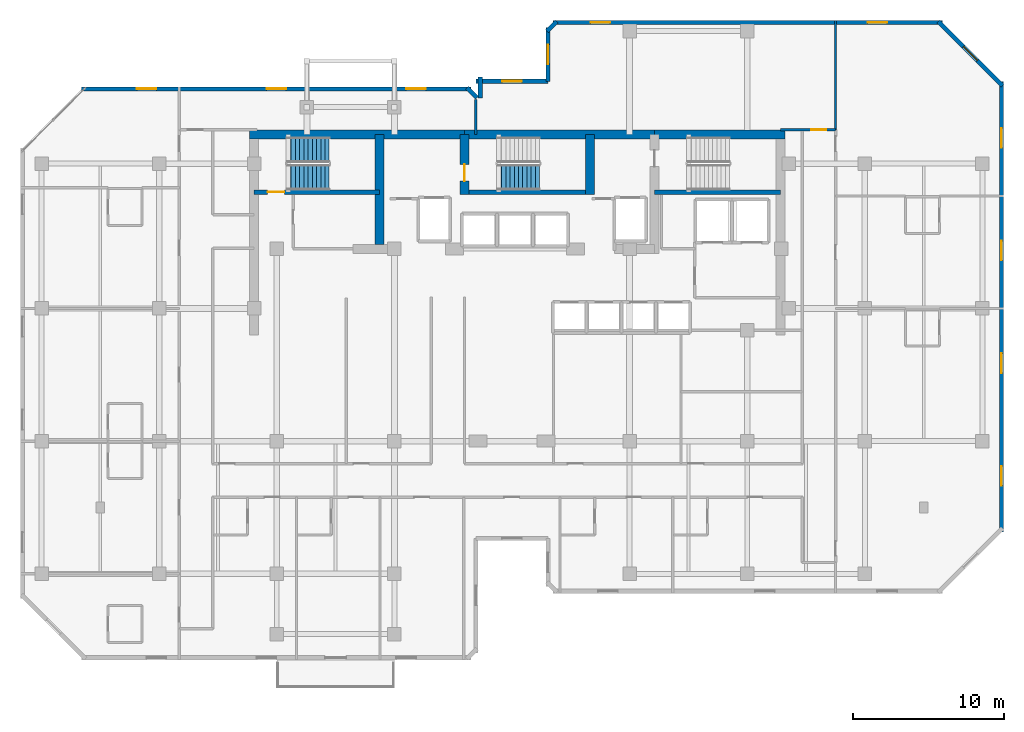
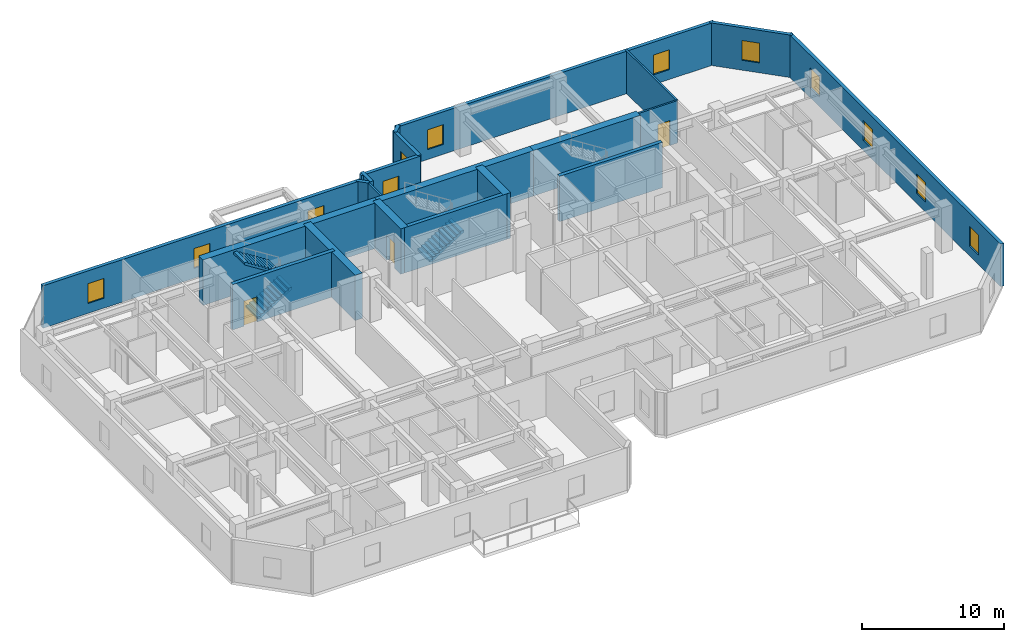
# One storey, part 8 of 11: 21 walls, 12 windows, 3 doors, 3 stair flights, 15 openings, 2 elements without a shape of their own.
"""IFC4 building model written with IfcOpenShell, lengths in metres."""

import ifcopenshell
import ifcopenshell.guid

model = None  # the IFC model being written
_history = None  # IfcOwnerHistory: only IFC2X3 demands one
_inside = {}  # id of a spatial element -> (the spatial element, [elements in it])
_under = {}  # id of a project, library or spatial element -> (it, [spatial elements below it])
_declared = {}  # id of a project -> (the project, [libraries it declares])
_typed = {}  # id of a type object -> (the type object, [elements of that type])
_made_of = {}  # id of a material, layer set ... -> (it, [elements and type objects made of it])


def new_model(schema):
    """Start an empty IFC model of exactly this schema.

    Asked for "IFC4X3", IfcOpenShell would pick the latest addendum, in which some entities
    have other attributes; the version numbers below select the first issue.
    IFC2X3 requires an IfcOwnerHistory on every rooted entity: one is made here for all.
    """
    global model, _history
    if schema == "IFC4X3":
        model = ifcopenshell.file(schema_version=(4, 3, 0, 0))
    else:
        model = ifcopenshell.file(schema=schema)
    _inside.clear()
    _under.clear()
    _declared.clear()
    _typed.clear()
    _made_of.clear()
    _history = None
    if model.schema == "IFC2X3":
        org = make("IfcOrganization", Name="unknown")
        user = make(
            "IfcPersonAndOrganization",
            ThePerson=make("IfcPerson", FamilyName="unknown"),
            TheOrganization=org,
        )
        app = make(
            "IfcApplication",
            ApplicationDeveloper=org,
            Version="unknown",
            ApplicationFullName="unknown",
            ApplicationIdentifier="unknown",
        )
        _history = make(
            "IfcOwnerHistory",
            OwningUser=user,
            OwningApplication=app,
            ChangeAction="ADDED",
            CreationDate=0,
        )
    return model


def make(cls, **values):
    """One entity of the class cls with the attributes given. An attribute that is None is left unset."""
    return model.create_entity(
        cls, **{name: value for name, value in values.items() if value is not None}
    )


def rooted(cls, **values):
    """An entity with a GlobalId (a new one), such as an element, a storey or a relation."""
    return make(cls, GlobalId=ifcopenshell.guid.new(), OwnerHistory=_history, **values)


def si_unit(unit_type, name, prefix=None):
    """IfcSIUnit, for example si_unit("LENGTHUNIT", "METRE", prefix="MILLI")."""
    return make("IfcSIUnit", UnitType=unit_type, Prefix=prefix, Name=name)


def assignment(units):
    """IfcUnitAssignment: the units of a project."""
    return None if units is None else make("IfcUnitAssignment", Units=units)


def point(xyz):
    """IfcCartesianPoint."""
    return None if xyz is None else make("IfcCartesianPoint", Coordinates=xyz)


def direction(xyz):
    """IfcDirection."""
    return None if xyz is None else make("IfcDirection", DirectionRatios=xyz)


def frame(location, z_axis=None, x_axis=None):
    """IfcAxis2Placement3D, a coordinate frame: its origin and axes. An axis left out is left unset."""
    return make(
        "IfcAxis2Placement3D",
        Location=point(location),
        Axis=direction(z_axis),
        RefDirection=direction(x_axis),
    )


def frame_2d(location, x_axis=None):
    """IfcAxis2Placement2D, a coordinate frame in the plane: its origin and x axis."""
    return make(
        "IfcAxis2Placement2D", Location=point(location), RefDirection=direction(x_axis)
    )


def origin():
    """The frame at (0, 0, 0) with its axes left unset."""
    return frame((0.0, 0.0, 0.0))


def place(relative_to, where):
    """IfcLocalPlacement: puts the frame where relative to a parent placement (None: the world)."""
    return make(
        "IfcLocalPlacement", PlacementRelTo=relative_to, RelativePlacement=where
    )


def context(
    kind, dimensions, precision=None, world=None, true_north=None, identifier=None
):
    """IfcGeometricRepresentationContext, for example the 3D "Model" context."""
    return make(
        "IfcGeometricRepresentationContext",
        ContextIdentifier=identifier,
        ContextType=kind,
        CoordinateSpaceDimension=dimensions,
        Precision=precision,
        WorldCoordinateSystem=world,
        TrueNorth=true_north,
    )


def subcontext(parent, identifier, kind, view, scale=None):
    """IfcGeometricRepresentationSubContext, for example "Body" below "Model"."""
    return make(
        "IfcGeometricRepresentationSubContext",
        ContextIdentifier=identifier,
        ContextType=kind,
        ParentContext=parent,
        TargetScale=scale,
        TargetView=view,
    )


def project(units=None, contexts=None):
    """IfcProject with its units and contexts."""
    return rooted(
        "IfcProject",
        Name="project",
        RepresentationContexts=contexts,
        UnitsInContext=assignment(units),
    )


def spatial(cls, under=None, at=None, **own):
    """A site, building, storey or space (cls), placed at a placement, below another one or the project."""
    s = rooted(cls, ObjectPlacement=at, **own)
    if under is not None:
        _under.setdefault(under.id(), (under, []))[1].append(s)
    return s


def polyline(points):
    """IfcPolyline through the points."""
    return make("IfcPolyline", Points=[point(p) for p in points])


def profile(cls, at=None, kind="AREA", **sizes):
    """A parametric profile (cls). Its sizes go by their IFC names, for example OverallWidth=200.0."""
    return make(cls, ProfileType=kind, Position=at, **sizes)


def rectangle(**sizes):
    """IfcRectangleProfileDef."""
    return profile("IfcRectangleProfileDef", **sizes)


def outline(outer, holes=None, kind="AREA"):
    """IfcArbitraryClosedProfileDef: a profile drawn as a closed curve; with holes, ...WithVoids."""
    if holes is None:
        return make("IfcArbitraryClosedProfileDef", ProfileType=kind, OuterCurve=outer)
    return make(
        "IfcArbitraryProfileDefWithVoids",
        ProfileType=kind,
        OuterCurve=outer,
        InnerCurves=holes,
    )


def extrude(swept, where, along, depth):
    """IfcExtrudedAreaSolid: the profile swept, set in the frame where, extruded along a direction by depth."""
    return make(
        "IfcExtrudedAreaSolid",
        SweptArea=swept,
        Position=where,
        ExtrudedDirection=direction(along),
        Depth=depth,
    )


def shape(context_of_items, identifier, shape_type, items):
    """IfcShapeRepresentation: the items that make up one representation, for example the "Body"."""
    return make(
        "IfcShapeRepresentation",
        ContextOfItems=context_of_items,
        RepresentationIdentifier=identifier,
        RepresentationType=shape_type,
        Items=items,
    )


def material(Name=None, Category=None):
    """IfcMaterial."""
    return make("IfcMaterial", Name=Name, Category=Category)


def layer(
    of_material, thickness, ventilated=None, Name=None, Category=None, Priority=None
):
    """IfcMaterialLayer: one layer of a wall or slab, of a material (None: an air gap)."""
    return make(
        "IfcMaterialLayer",
        Material=of_material,
        LayerThickness=thickness,
        IsVentilated=ventilated,
        Name=Name,
        Category=Category,
        Priority=Priority,
    )


def layer_set(layers, Name=None):
    """IfcMaterialLayerSet."""
    return make("IfcMaterialLayerSet", MaterialLayers=layers, LayerSetName=Name)


def made_of(thing, what):
    """Note that an element or type object is made of a material, layer set ...; save() writes the relation."""
    if what is not None:
        _made_of.setdefault(what.id(), (what, []))[1].append(thing)
    return thing


def type_object(cls, material=None, **own):
    """A type object (cls), such as IfcWallType, which elements share."""
    return made_of(rooted(cls, **own), material)


def element(
    cls,
    number,
    at=None,
    inside=None,
    cuts=None,
    type_object=None,
    material=None,
    context=None,
    identifier="Body",
    shape_type=None,
    held_by="IfcProductDefinitionShape",
    body=None,
    shapes=None,
    **own,
):
    """One element of the class cls, such as IfcWall. Its Tag is "e" and its number.

    at: its placement. inside: the storey or other place that contains it. cuts: it is an
    opening in that element (IfcRelVoidsElement). A single representation is given by context,
    identifier, shape_type and body (its items); several are given by shapes. held_by: the class
    of the entity that holds the representations. save() writes the other relations.
    """
    e = rooted(cls, Tag="e%d" % number, ObjectPlacement=at, **own)
    if body is not None:
        shapes = [shape(context, identifier, shape_type, body)]
    if shapes is not None:
        e.Representation = make(held_by, Representations=shapes)
    if inside is not None:
        _inside.setdefault(inside.id(), (inside, []))[1].append(e)
    if cuts is not None:
        rooted(
            "IfcRelVoidsElement", RelatingBuildingElement=cuts, RelatedOpeningElement=e
        )
    if type_object is not None:
        _typed.setdefault(type_object.id(), (type_object, []))[1].append(e)
    return made_of(e, material)


def fill(opening, filler):
    """IfcRelFillsElement: the door or window that sits in an opening."""
    return rooted(
        "IfcRelFillsElement",
        RelatingOpeningElement=opening,
        RelatedBuildingElement=filler,
    )


def aggregate(whole, parts):
    """IfcRelAggregates: a whole, such as a stair, and the parts it consists of."""
    return rooted("IfcRelAggregates", RelatingObject=whole, RelatedObjects=parts)


def save(model, path):
    """Write the relations noted so far, then the file.

    IfcRelAggregates (storeys below a building ...), IfcRelContainedInSpatialStructure (elements
    in a storey), IfcRelDefinesByType, IfcRelAssociatesMaterial and IfcRelDeclares: one each for
    every whole, place, type object, material and project.
    """
    for whole, parts in _under.values():
        aggregate(whole, parts)
    for where, things in _inside.values():
        rooted(
            "IfcRelContainedInSpatialStructure",
            RelatedElements=things,
            RelatingStructure=where,
        )
    for kind, things in _typed.values():
        rooted("IfcRelDefinesByType", RelatedObjects=things, RelatingType=kind)
    for what, things in _made_of.values():
        rooted("IfcRelAssociatesMaterial", RelatedObjects=things, RelatingMaterial=what)
    for by, libraries in _declared.values():
        rooted("IfcRelDeclares", RelatingContext=by, RelatedDefinitions=libraries)
    model.write(path)


model = new_model("IFC4")

# Units and contexts
model_context = context("Model", 3, precision=1e-05, world=origin(), true_north=direction((0.0, 1.0)))
body_context = subcontext(model_context, "Body", "Model", "MODEL_VIEW")
ifc_project = project(units=[si_unit("LENGTHUNIT", "METRE"), si_unit("AREAUNIT", "SQUARE_METRE"), si_unit("VOLUMEUNIT", "CUBIC_METRE"), si_unit("PLANEANGLEUNIT", "RADIAN"), si_unit("MASSUNIT", "GRAM", prefix="KILO")], contexts=[model_context])

# Site, building, storey
site_placement = place(None, origin())
site = spatial("IfcSite", under=ifc_project, at=site_placement, CompositionType="ELEMENT")
building_placement = place(site_placement, origin())
building = spatial("IfcBuilding", under=site, at=building_placement, Name="Kestravale Grand Hotel", CompositionType="ELEMENT")
storey_placement = place(building_placement, frame((0.0, 0.0, 208.5)))
storey = spatial("IfcBuildingStorey", under=building, at=storey_placement, Name="L52", CompositionType="ELEMENT", Elevation=208.5)

# Walls
ifc_material_1 = material(Name="Concrete f'c 50 MPa", Category="concrete")
ifc_layer_1 = layer(ifc_material_1, 0.60009765625)
ifc_layer_set_1 = layer_set([ifc_layer_1], Name="EW-CORE-600")
wall_type_1 = type_object("IfcWallType", Name="EW-CORE-600", PredefinedType="SHEAR", material=ifc_layer_set_1)
wall_1_placement = place(storey_placement, frame((21.60009765625, 40.320068359375, 0.0), z_axis=(0.0, 0.0, 1.0), x_axis=(1.0, 0.0, 0.0)))
element("IfcWall", 1, at=wall_1_placement, inside=storey, type_object=wall_type_1, Name="L52 core shear wall N1", PredefinedType="SHEAR", context=body_context, shape_type="SweptSolid", body=[
    extrude(rectangle(XDim=14.25, YDim=0.60009765625, at=frame_2d((7.125, 0.0))), origin(), (0.0, 0.0, 1.0), 3.89990234375),
])
wall_2_placement = place(storey_placement, frame((35.85009765625, 40.320068359375, 0.0), z_axis=(0.0, 0.0, 1.0), x_axis=(1.0, 0.0, 0.0)))
element("IfcWall", 2, at=wall_2_placement, inside=storey, type_object=wall_type_1, Name="L52 core shear wall N2", PredefinedType="SHEAR", context=body_context, shape_type="SweptSolid", body=[
    extrude(rectangle(XDim=12.599853515625, YDim=0.60009765625, at=frame_2d((6.2998046875, 0.0))), origin(), (0.0, 0.0, 1.0), 3.89990234375),
])
wall_3_placement = place(storey_placement, frame((48.449951171875, 40.320068359375, 0.0), z_axis=(0.0, 0.0, 1.0), x_axis=(1.0, 0.0, 0.0)))
element("IfcWall", 3, at=wall_3_placement, inside=storey, type_object=wall_type_1, Name="L52 core shear wall N3", PredefinedType="SHEAR", context=body_context, shape_type="SweptSolid", body=[
    extrude(rectangle(XDim=8.670166015625, YDim=0.60009765625, at=frame_2d((4.3349609375, 0.0))), origin(), (0.0, 0.0, 1.0), 3.89990234375),
])
wall_4_placement = place(storey_placement, frame((30.219970703125, 33.050048828125, 0.0), z_axis=(0.0, 0.0, 1.0), x_axis=(0.0, 1.0, 0.0)))
element("IfcWall", 4, at=wall_4_placement, inside=storey, type_object=wall_type_1, Name="L52 core shear wall X1", PredefinedType="SHEAR", context=body_context, shape_type="SweptSolid", body=[
    extrude(rectangle(XDim=7.27001953125, YDim=0.60009765625, at=frame_2d((3.635009765625, 0.0))), origin(), (0.0, 0.0, 1.0), 3.89990234375),
])

# Wall, opening, door
wall_5_placement = place(storey_placement, frame((35.85009765625, 36.3701171875, 0.0), z_axis=(0.0, 0.0, 1.0), x_axis=(0.0, 1.0, 0.0)))
wall_5 = element("IfcWall", 5, at=wall_5_placement, inside=storey, type_object=wall_type_1, Name="L52 core shear wall X2", PredefinedType="SHEAR", context=body_context, shape_type="SweptSolid", body=[
    extrude(rectangle(XDim=3.949951171875, YDim=0.60009765625, at=frame_2d((1.97509765625, 0.0))), origin(), (0.0, 0.0, 1.0), 3.89990234375),
])
opening_1_placement = place(wall_5_placement, frame((0.8798828125, 0.0, 0.0)))
opening_1 = element("IfcOpeningElement", 6, at=opening_1_placement, cuts=wall_5, Name="Opening D-ST-1100", PredefinedType="OPENING", context=body_context, shape_type="SweptSolid", body=[
    extrude(rectangle(XDim=1.10009765625, YDim=2.14990234375, at=frame_2d((0.550048828125, 1.074951171875))), frame((0.0, 0.31005859375, 0.0), z_axis=(0.0, -1.0, 0.0), x_axis=(1.0, 0.0, 0.0)), (0.0, 0.0, 1.0), 0.6201171875),
])
ifc_material_2 = material(Name="Galvanised 90-minute fire-rated steel stair door", Category="steel")
door_type_1 = type_object("IfcDoorType", Name="D-ST-1100", OperationType="NOTDEFINED", PredefinedType="DOOR", material=ifc_material_2)
door_1_placement = place(opening_1_placement, origin())
door_1 = element("IfcDoor", 7, at=door_1_placement, inside=storey, type_object=door_type_1, Name="L52 Stair ST-2 FSAE fire door", OperationType="SINGLE_SWING_RIGHT", OverallHeight=2.14990234375, OverallWidth=1.10009765625, PredefinedType="DOOR", context=body_context, shape_type="SweptSolid", body=[
    extrude(rectangle(XDim=1.10009765625, YDim=2.14990234375, at=frame_2d((0.550048828125, 1.074951171875))), frame((0.0, 0.02490234375, 0.0), z_axis=(0.0, -1.0, 0.0), x_axis=(1.0, 0.0, 0.0)), (0.0, 0.0, 1.0), 0.050048828125),
])
fill(opening_1, door_1)

# Wall
wall_6_placement = place(storey_placement, frame((44.179931640625, 36.3701171875, 0.0), z_axis=(0.0, 0.0, 1.0), x_axis=(0.0, 1.0, 0.0)))
element("IfcWall", 8, at=wall_6_placement, inside=storey, type_object=wall_type_1, Name="L52 core shear wall X3", PredefinedType="SHEAR", context=body_context, shape_type="SweptSolid", body=[
    extrude(rectangle(XDim=3.949951171875, YDim=0.60009765625, at=frame_2d((1.97509765625, 0.0))), origin(), (0.0, 0.0, 1.0), 3.89990234375),
])

# Wall, openings, windows
ifc_material_3 = material(Name="Precast concrete f'c 45 MPa", Category="concrete")
ifc_layer_2 = layer(ifc_material_3, 0.280029296875)
ifc_layer_set_2 = layer_set([ifc_layer_2], Name="EW-PREC-280")
wall_type_2 = type_object("IfcWallType", Name="EW-PREC-280", PredefinedType="SOLIDWALL", material=ifc_layer_set_2)
wall_7_placement = place(storey_placement, frame((71.4599609375, 13.9599609375, 0.0), z_axis=(0.0, 0.0, 1.0), x_axis=(0.0, 1.0, 0.0)))
wall_7 = element("IfcWall", 9, at=wall_7_placement, inside=storey, type_object=wall_type_2, Name="L52 fluted precast facade wall 9", PredefinedType="SOLIDWALL", context=body_context, shape_type="SweptSolid", body=[
    extrude(rectangle(XDim=29.880126953125, YDim=0.280029296875, at=frame_2d((14.93994140625, 0.0))), origin(), (0.0, 0.0, 1.0), 3.64990234375),
])
opening_2_placement = place(wall_7_placement, frame((3.0849609375, 0.0, 0.85009765625)))
opening_2 = element("IfcOpeningElement", 10, at=opening_2_placement, cuts=wall_7, Name="Opening W-GUEST-1300", PredefinedType="OPENING", context=body_context, shape_type="SweptSolid", body=[
    extrude(rectangle(XDim=1.300048828125, YDim=1.699951171875, at=frame_2d((0.64990234375, 0.85009765625))), frame((0.0, 0.14990234375, 0.0), z_axis=(0.0, -1.0, 0.0), x_axis=(1.0, 0.0, 0.0)), (0.0, 0.0, 1.0), 0.300048828125),
])
opening_3_placement = place(wall_7_placement, frame((10.554931640625, 0.0, 0.85009765625)))
opening_3 = element("IfcOpeningElement", 11, at=opening_3_placement, cuts=wall_7, Name="Opening W-GUEST-1300", PredefinedType="OPENING", context=body_context, shape_type="SweptSolid", body=[
    extrude(rectangle(XDim=1.300048828125, YDim=1.699951171875, at=frame_2d((0.64990234375, 0.85009765625))), frame((0.0, 0.14990234375, 0.0), z_axis=(0.0, -1.0, 0.0), x_axis=(1.0, 0.0, 0.0)), (0.0, 0.0, 1.0), 0.300048828125),
])
opening_4_placement = place(wall_7_placement, frame((18.02490234375, 0.0, 0.85009765625)))
opening_4 = element("IfcOpeningElement", 12, at=opening_4_placement, cuts=wall_7, Name="Opening W-GUEST-1300", PredefinedType="OPENING", context=body_context, shape_type="SweptSolid", body=[
    extrude(rectangle(XDim=1.300048828125, YDim=1.699951171875, at=frame_2d((0.64990234375, 0.85009765625))), frame((0.0, 0.14990234375, 0.0), z_axis=(0.0, -1.0, 0.0), x_axis=(1.0, 0.0, 0.0)), (0.0, 0.0, 1.0), 0.300048828125),
])
opening_5_placement = place(wall_7_placement, frame((25.4951171875, 0.0, 0.85009765625)))
opening_5 = element("IfcOpeningElement", 13, at=opening_5_placement, cuts=wall_7, Name="Opening W-GUEST-1300", PredefinedType="OPENING", context=body_context, shape_type="SweptSolid", body=[
    extrude(rectangle(XDim=1.300048828125, YDim=1.699951171875, at=frame_2d((0.64990234375, 0.85009765625))), frame((0.0, 0.14990234375, 0.0), z_axis=(0.0, -1.0, 0.0), x_axis=(1.0, 0.0, 0.0)), (0.0, 0.0, 1.0), 0.300048828125),
])
ifc_material_4 = material(Name="Insulated low-E double glazing in aluminium frame", Category="aluminium")
window_type = type_object("IfcWindowType", Name="W-GUEST-1300", PartitioningType="SINGLE_PANEL", PredefinedType="WINDOW", material=ifc_material_4)
window_1_placement = place(opening_2_placement, origin())
window_1 = element("IfcWindow", 14, at=window_1_placement, inside=storey, type_object=window_type, Name="L52 exterior window 9.1", OverallHeight=1.699951171875, OverallWidth=1.300048828125, PartitioningType="SINGLE_PANEL", PredefinedType="WINDOW", context=body_context, shape_type="SweptSolid", body=[
    extrude(rectangle(XDim=1.300048828125, YDim=1.699951171875, at=frame_2d((0.64990234375, 0.85009765625))), frame((0.0, 0.030029296875, 0.0), z_axis=(0.0, -1.0, 0.0), x_axis=(1.0, 0.0, 0.0)), (0.0, 0.0, 1.0), 0.06005859375),
])
fill(opening_2, window_1)
window_2_placement = place(opening_3_placement, origin())
window_2 = element("IfcWindow", 15, at=window_2_placement, inside=storey, type_object=window_type, Name="L52 exterior window 9.2", OverallHeight=1.699951171875, OverallWidth=1.300048828125, PartitioningType="SINGLE_PANEL", PredefinedType="WINDOW", context=body_context, shape_type="SweptSolid", body=[
    extrude(rectangle(XDim=1.300048828125, YDim=1.699951171875, at=frame_2d((0.64990234375, 0.85009765625))), frame((0.0, 0.030029296875, 0.0), z_axis=(0.0, -1.0, 0.0), x_axis=(1.0, 0.0, 0.0)), (0.0, 0.0, 1.0), 0.06005859375),
])
fill(opening_3, window_2)
window_3_placement = place(opening_4_placement, origin())
window_3 = element("IfcWindow", 16, at=window_3_placement, inside=storey, type_object=window_type, Name="L52 exterior window 9.3", OverallHeight=1.699951171875, OverallWidth=1.300048828125, PartitioningType="SINGLE_PANEL", PredefinedType="WINDOW", context=body_context, shape_type="SweptSolid", body=[
    extrude(rectangle(XDim=1.300048828125, YDim=1.699951171875, at=frame_2d((0.64990234375, 0.85009765625))), frame((0.0, 0.030029296875, 0.0), z_axis=(0.0, -1.0, 0.0), x_axis=(1.0, 0.0, 0.0)), (0.0, 0.0, 1.0), 0.06005859375),
])
fill(opening_4, window_3)
window_4_placement = place(opening_5_placement, origin())
window_4 = element("IfcWindow", 17, at=window_4_placement, inside=storey, type_object=window_type, Name="L52 exterior window 9.4", OverallHeight=1.699951171875, OverallWidth=1.300048828125, PartitioningType="SINGLE_PANEL", PredefinedType="WINDOW", context=body_context, shape_type="SweptSolid", body=[
    extrude(rectangle(XDim=1.300048828125, YDim=1.699951171875, at=frame_2d((0.64990234375, 0.85009765625))), frame((0.0, 0.030029296875, 0.0), z_axis=(0.0, -1.0, 0.0), x_axis=(1.0, 0.0, 0.0)), (0.0, 0.0, 1.0), 0.06005859375),
])
fill(opening_5, window_4)

# Wall, opening, window
wall_8_placement = place(storey_placement, frame((71.529296875, 43.57275390625, 0.0), z_axis=(0.0, 0.0, 1.0), x_axis=(-0.707106781187, 0.707106781187, 0.0)))
wall_8 = element("IfcWall", 18, at=wall_8_placement, inside=storey, type_object=wall_type_2, Name="L52 fluted precast facade wall 10", PredefinedType="SOLIDWALL", context=body_context, shape_type="SweptSolid", body=[
    extrude(rectangle(XDim=6.019775390625, YDim=0.280029296875, at=frame_2d((3.009765625, 0.0))), origin(), (0.0, 0.0, 1.0), 3.64990234375),
])
opening_6_placement = place(wall_8_placement, frame((2.35986328125, 0.0, 0.85009765625)))
opening_6 = element("IfcOpeningElement", 19, at=opening_6_placement, cuts=wall_8, Name="Opening W-GUEST-1300", PredefinedType="OPENING", context=body_context, shape_type="SweptSolid", body=[
    extrude(rectangle(XDim=1.300048828125, YDim=1.699951171875, at=frame_2d((0.64990234375, 0.85009765625))), frame((0.0, 0.14990234375, 0.0), z_axis=(0.0, -1.0, 0.0), x_axis=(1.0, 0.0, 0.0)), (0.0, 0.0, 1.0), 0.300048828125),
])
window_5_placement = place(opening_6_placement, origin())
window_5 = element("IfcWindow", 20, at=window_5_placement, inside=storey, type_object=window_type, Name="L52 exterior window 10.1", OverallHeight=1.699951171875, OverallWidth=1.300048828125, PartitioningType="SINGLE_PANEL", PredefinedType="WINDOW", context=body_context, shape_type="SweptSolid", body=[
    extrude(rectangle(XDim=1.300048828125, YDim=1.699951171875, at=frame_2d((0.64990234375, 0.85009765625))), frame((0.0, 0.030029296875, 0.0), z_axis=(0.0, -1.0, 0.0), x_axis=(1.0, 0.0, 0.0)), (0.0, 0.0, 1.0), 0.06005859375),
])
fill(opening_6, window_5)

# Wall, openings, windows
wall_9_placement = place(storey_placement, frame((67.5400390625, 47.760009765625, 0.0), z_axis=(0.0, 0.0, 1.0), x_axis=(-1.0, 0.0, 0.0)))
wall_9 = element("IfcWall", 21, at=wall_9_placement, inside=storey, type_object=wall_type_2, Name="L52 fluted precast facade wall 11", PredefinedType="SOLIDWALL", context=body_context, shape_type="SweptSolid", body=[
    extrude(rectangle(XDim=25.830078125, YDim=0.280029296875, at=frame_2d((12.9150390625, 0.0))), origin(), (0.0, 0.0, 1.0), 3.64990234375),
])
opening_7_placement = place(wall_9_placement, frame((3.655029296875, 0.0, 0.85009765625)))
opening_7 = element("IfcOpeningElement", 22, at=opening_7_placement, cuts=wall_9, Name="Opening W-GUEST-1300", PredefinedType="OPENING", context=body_context, shape_type="SweptSolid", body=[
    extrude(rectangle(XDim=1.300048828125, YDim=1.699951171875, at=frame_2d((0.64990234375, 0.85009765625))), frame((0.0, 0.14990234375, 0.0), z_axis=(0.0, -1.0, 0.0), x_axis=(1.0, 0.0, 0.0)), (0.0, 0.0, 1.0), 0.300048828125),
])
opening_8_placement = place(wall_9_placement, frame((22.02490234375, 0.0, 0.85009765625)))
opening_8 = element("IfcOpeningElement", 23, at=opening_8_placement, cuts=wall_9, Name="Opening W-GUEST-1300", PredefinedType="OPENING", context=body_context, shape_type="SweptSolid", body=[
    extrude(rectangle(XDim=1.300048828125, YDim=1.699951171875, at=frame_2d((0.64990234375, 0.85009765625))), frame((0.0, 0.14990234375, 0.0), z_axis=(0.0, -1.0, 0.0), x_axis=(1.0, 0.0, 0.0)), (0.0, 0.0, 1.0), 0.300048828125),
])
window_6_placement = place(opening_7_placement, origin())
window_6 = element("IfcWindow", 24, at=window_6_placement, inside=storey, type_object=window_type, Name="L52 exterior window 11.1", OverallHeight=1.699951171875, OverallWidth=1.300048828125, PartitioningType="SINGLE_PANEL", PredefinedType="WINDOW", context=body_context, shape_type="SweptSolid", body=[
    extrude(rectangle(XDim=1.300048828125, YDim=1.699951171875, at=frame_2d((0.64990234375, 0.85009765625))), frame((0.0, 0.030029296875, 0.0), z_axis=(0.0, -1.0, 0.0), x_axis=(1.0, 0.0, 0.0)), (0.0, 0.0, 1.0), 0.06005859375),
])
fill(opening_7, window_6)
window_7_placement = place(opening_8_placement, origin())
window_7 = element("IfcWindow", 25, at=window_7_placement, inside=storey, type_object=window_type, Name="L52 exterior window 11.2", OverallHeight=1.699951171875, OverallWidth=1.300048828125, PartitioningType="SINGLE_PANEL", PredefinedType="WINDOW", context=body_context, shape_type="SweptSolid", body=[
    extrude(rectangle(XDim=1.300048828125, YDim=1.699951171875, at=frame_2d((0.64990234375, 0.85009765625))), frame((0.0, 0.030029296875, 0.0), z_axis=(0.0, -1.0, 0.0), x_axis=(1.0, 0.0, 0.0)), (0.0, 0.0, 1.0), 0.06005859375),
])
fill(opening_8, window_7)

# Wall
wall_10_placement = place(storey_placement, frame((41.977294921875, 47.829345703125, 0.0), z_axis=(0.0, 0.0, 1.0), x_axis=(-0.706975312048, -0.707238225886, 0.0)))
element("IfcWall", 26, at=wall_10_placement, inside=storey, type_object=wall_type_2, Name="L52 fluted precast facade wall 12", PredefinedType="SOLIDWALL", context=body_context, shape_type="SweptSolid", body=[
    extrude(rectangle(XDim=0.9287109375, YDim=0.280029296875, at=frame_2d((0.46435546875, 0.0))), origin(), (0.0, 0.0, 1.0), 3.64990234375),
])

# Wall, opening, window
wall_11_placement = place(storey_placement, frame((41.389892578125, 47.43994140625, 0.0), z_axis=(0.0, 0.0, 1.0), x_axis=(0.0, -1.0, 0.0)))
wall_11 = element("IfcWall", 27, at=wall_11_placement, inside=storey, type_object=wall_type_2, Name="L52 fluted precast facade wall 13", PredefinedType="SOLIDWALL", context=body_context, shape_type="SweptSolid", body=[
    extrude(rectangle(XDim=3.579833984375, YDim=0.280029296875, at=frame_2d((1.7900390625, 0.0))), origin(), (0.0, 0.0, 1.0), 3.64990234375),
])
opening_9_placement = place(wall_11_placement, frame((1.139892578125, 0.0, 0.85009765625)))
opening_9 = element("IfcOpeningElement", 28, at=opening_9_placement, cuts=wall_11, Name="Opening W-GUEST-1300", PredefinedType="OPENING", context=body_context, shape_type="SweptSolid", body=[
    extrude(rectangle(XDim=1.300048828125, YDim=1.699951171875, at=frame_2d((0.64990234375, 0.85009765625))), frame((0.0, 0.14990234375, 0.0), z_axis=(0.0, -1.0, 0.0), x_axis=(1.0, 0.0, 0.0)), (0.0, 0.0, 1.0), 0.300048828125),
])
window_8_placement = place(opening_9_placement, origin())
window_8 = element("IfcWindow", 29, at=window_8_placement, inside=storey, type_object=window_type, Name="L52 exterior window 13.1", OverallHeight=1.699951171875, OverallWidth=1.300048828125, PartitioningType="SINGLE_PANEL", PredefinedType="WINDOW", context=body_context, shape_type="SweptSolid", body=[
    extrude(rectangle(XDim=1.300048828125, YDim=1.699951171875, at=frame_2d((0.64990234375, 0.85009765625))), frame((0.0, 0.030029296875, 0.0), z_axis=(0.0, -1.0, 0.0), x_axis=(1.0, 0.0, 0.0)), (0.0, 0.0, 1.0), 0.06005859375),
])
fill(opening_9, window_8)

wall_12_placement = place(storey_placement, frame((41.389892578125, 43.860107421875, 0.0), z_axis=(0.0, 0.0, 1.0), x_axis=(-1.0, 0.0, 0.0)))
wall_12 = element("IfcWall", 30, at=wall_12_placement, inside=storey, type_object=wall_type_2, Name="L52 fluted precast facade wall 14", PredefinedType="SOLIDWALL", context=body_context, shape_type="SweptSolid", body=[
    extrude(rectangle(XDim=4.77978515625, YDim=0.280029296875, at=frame_2d((2.389892578125, 0.0))), origin(), (0.0, 0.0, 1.0), 3.64990234375),
])
opening_10_placement = place(wall_12_placement, frame((1.739990234375, 0.0, 0.85009765625)))
opening_10 = element("IfcOpeningElement", 31, at=opening_10_placement, cuts=wall_12, Name="Opening W-GUEST-1300", PredefinedType="OPENING", context=body_context, shape_type="SweptSolid", body=[
    extrude(rectangle(XDim=1.300048828125, YDim=1.699951171875, at=frame_2d((0.64990234375, 0.85009765625))), frame((0.0, 0.14990234375, 0.0), z_axis=(0.0, -1.0, 0.0), x_axis=(1.0, 0.0, 0.0)), (0.0, 0.0, 1.0), 0.300048828125),
])
window_9_placement = place(opening_10_placement, origin())
window_9 = element("IfcWindow", 32, at=window_9_placement, inside=storey, type_object=window_type, Name="L52 exterior window 14.1", OverallHeight=1.699951171875, OverallWidth=1.300048828125, PartitioningType="SINGLE_PANEL", PredefinedType="WINDOW", context=body_context, shape_type="SweptSolid", body=[
    extrude(rectangle(XDim=1.300048828125, YDim=1.699951171875, at=frame_2d((0.64990234375, 0.85009765625))), frame((0.0, 0.030029296875, 0.0), z_axis=(0.0, -1.0, 0.0), x_axis=(1.0, 0.0, 0.0)), (0.0, 0.0, 1.0), 0.06005859375),
])
fill(opening_10, window_9)

# Walls
wall_13_placement = place(storey_placement, frame((36.889892578125, 44.139892578125, 0.0), z_axis=(0.0, 0.0, 1.0), x_axis=(0.0, -1.0, 0.0)))
element("IfcWall", 33, at=wall_13_placement, inside=storey, type_object=wall_type_2, Name="L52 fluted precast facade wall 15", PredefinedType="SOLIDWALL", context=body_context, shape_type="SweptSolid", body=[
    extrude(rectangle(XDim=1.3798828125, YDim=0.280029296875, at=frame_2d((0.68994140625, 0.0))), origin(), (0.0, 0.0, 1.0), 3.64990234375),
])
wall_14_placement = place(storey_placement, frame((36.67919921875, 42.772705078125, 0.0), z_axis=(0.0, 0.0, 1.0), x_axis=(-0.707106781187, 0.707106781187, 0.0)))
element("IfcWall", 34, at=wall_14_placement, inside=storey, type_object=wall_type_2, Name="L52 fluted precast facade wall 16", PredefinedType="SOLIDWALL", context=body_context, shape_type="SweptSolid", body=[
    extrude(rectangle(XDim=0.928466796875, YDim=0.280029296875, at=frame_2d((0.46435546875, 0.0))), origin(), (0.0, 0.0, 1.0), 3.64990234375),
])

# Wall, openings, windows
wall_15_placement = place(storey_placement, frame((36.2900390625, 43.360107421875, 0.0), z_axis=(0.0, 0.0, 1.0), x_axis=(-1.0, 0.0, 0.0)))
wall_15 = element("IfcWall", 35, at=wall_15_placement, inside=storey, type_object=wall_type_2, Name="L52 fluted precast facade wall 17", PredefinedType="SOLIDWALL", context=body_context, shape_type="SweptSolid", body=[
    extrude(rectangle(XDim=25.830078125, YDim=0.280029296875, at=frame_2d((12.9150390625, 0.0))), origin(), (0.0, 0.0, 1.0), 3.64990234375),
])
opening_11_placement = place(wall_15_placement, frame((3.0048828125, 0.0, 0.85009765625)))
opening_11 = element("IfcOpeningElement", 36, at=opening_11_placement, cuts=wall_15, Name="Opening W-GUEST-1300", PredefinedType="OPENING", context=body_context, shape_type="SweptSolid", body=[
    extrude(rectangle(XDim=1.300048828125, YDim=1.699951171875, at=frame_2d((0.64990234375, 0.85009765625))), frame((0.0, 0.14990234375, 0.0), z_axis=(0.0, -1.0, 0.0), x_axis=(1.0, 0.0, 0.0)), (0.0, 0.0, 1.0), 0.300048828125),
])
opening_12_placement = place(wall_15_placement, frame((12.264892578125, 0.0, 0.85009765625)))
opening_12 = element("IfcOpeningElement", 37, at=opening_12_placement, cuts=wall_15, Name="Opening W-GUEST-1300", PredefinedType="OPENING", context=body_context, shape_type="SweptSolid", body=[
    extrude(rectangle(XDim=1.300048828125, YDim=1.699951171875, at=frame_2d((0.64990234375, 0.85009765625))), frame((0.0, 0.14990234375, 0.0), z_axis=(0.0, -1.0, 0.0), x_axis=(1.0, 0.0, 0.0)), (0.0, 0.0, 1.0), 0.300048828125),
])
opening_13_placement = place(wall_15_placement, frame((20.875, 0.0, 0.85009765625)))
opening_13 = element("IfcOpeningElement", 38, at=opening_13_placement, cuts=wall_15, Name="Opening W-GUEST-1300", PredefinedType="OPENING", context=body_context, shape_type="SweptSolid", body=[
    extrude(rectangle(XDim=1.300048828125, YDim=1.699951171875, at=frame_2d((0.64990234375, 0.85009765625))), frame((0.0, 0.14990234375, 0.0), z_axis=(0.0, -1.0, 0.0), x_axis=(1.0, 0.0, 0.0)), (0.0, 0.0, 1.0), 0.300048828125),
])
window_10_placement = place(opening_11_placement, origin())
window_10 = element("IfcWindow", 39, at=window_10_placement, inside=storey, type_object=window_type, Name="L52 exterior window 17.1", OverallHeight=1.699951171875, OverallWidth=1.300048828125, PartitioningType="SINGLE_PANEL", PredefinedType="WINDOW", context=body_context, shape_type="SweptSolid", body=[
    extrude(rectangle(XDim=1.300048828125, YDim=1.699951171875, at=frame_2d((0.64990234375, 0.85009765625))), frame((0.0, 0.030029296875, 0.0), z_axis=(0.0, -1.0, 0.0), x_axis=(1.0, 0.0, 0.0)), (0.0, 0.0, 1.0), 0.06005859375),
])
fill(opening_11, window_10)
window_11_placement = place(opening_12_placement, origin())
window_11 = element("IfcWindow", 40, at=window_11_placement, inside=storey, type_object=window_type, Name="L52 exterior window 17.2", OverallHeight=1.699951171875, OverallWidth=1.300048828125, PartitioningType="SINGLE_PANEL", PredefinedType="WINDOW", context=body_context, shape_type="SweptSolid", body=[
    extrude(rectangle(XDim=1.300048828125, YDim=1.699951171875, at=frame_2d((0.64990234375, 0.85009765625))), frame((0.0, 0.030029296875, 0.0), z_axis=(0.0, -1.0, 0.0), x_axis=(1.0, 0.0, 0.0)), (0.0, 0.0, 1.0), 0.06005859375),
])
fill(opening_12, window_11)
window_12_placement = place(opening_13_placement, origin())
window_12 = element("IfcWindow", 41, at=window_12_placement, inside=storey, type_object=window_type, Name="L52 exterior window 17.3", OverallHeight=1.699951171875, OverallWidth=1.300048828125, PartitioningType="SINGLE_PANEL", PredefinedType="WINDOW", context=body_context, shape_type="SweptSolid", body=[
    extrude(rectangle(XDim=1.300048828125, YDim=1.699951171875, at=frame_2d((0.64990234375, 0.85009765625))), frame((0.0, 0.030029296875, 0.0), z_axis=(0.0, -1.0, 0.0), x_axis=(1.0, 0.0, 0.0)), (0.0, 0.0, 1.0), 0.06005859375),
])
fill(opening_13, window_12)

# Wall, opening, door
ifc_material_5 = material(Name="Concrete f'c 45 MPa", Category="concrete")
ifc_layer_3 = layer(ifc_material_5, 0.300048828125)
ifc_layer_set_3 = layer_set([ifc_layer_3], Name="EW-STAIR-300")
wall_type_3 = type_object("IfcWallType", Name="EW-STAIR-300", PredefinedType="SHEAR", material=ifc_layer_set_3)
wall_16_placement = place(storey_placement, frame((21.89990234375, 36.52001953125, 0.0), z_axis=(0.0, 0.0, 1.0), x_axis=(1.0, 0.0, 0.0)))
wall_16 = element("IfcWall", 42, at=wall_16_placement, inside=storey, type_object=wall_type_3, Name="L52 stair enclosure shear wall SST1", PredefinedType="SHEAR", context=body_context, shape_type="SweptSolid", body=[
    extrude(rectangle(XDim=8.320068359375, YDim=0.300048828125, at=frame_2d((4.16015625, 0.0))), origin(), (0.0, 0.0, 1.0), 3.89990234375),
])
opening_14_placement = place(wall_16_placement, frame((0.89990234375, 0.0, 0.0)))
opening_14 = element("IfcOpeningElement", 43, at=opening_14_placement, cuts=wall_16, Name="Opening D-ST-1100", PredefinedType="OPENING", context=body_context, shape_type="SweptSolid", body=[
    extrude(rectangle(XDim=1.10009765625, YDim=2.14990234375, at=frame_2d((0.550048828125, 1.074951171875))), frame((0.0, 0.159912109375, 0.0), z_axis=(0.0, -1.0, 0.0), x_axis=(1.0, 0.0, 0.0)), (0.0, 0.0, 1.0), 0.320068359375),
])
door_2_placement = place(opening_14_placement, origin())
door_2 = element("IfcDoor", 44, at=door_2_placement, inside=storey, type_object=door_type_1, Name="L52 Stair ST-1 fire door", OperationType="SINGLE_SWING_RIGHT", OverallHeight=2.14990234375, OverallWidth=1.10009765625, PredefinedType="DOOR", context=body_context, shape_type="SweptSolid", body=[
    extrude(rectangle(XDim=1.10009765625, YDim=2.14990234375, at=frame_2d((0.550048828125, 1.074951171875))), frame((0.0, 0.02490234375, 0.0), z_axis=(0.0, -1.0, 0.0), x_axis=(1.0, 0.0, 0.0)), (0.0, 0.0, 1.0), 0.050048828125),
])
fill(opening_14, door_2)

# Walls
wall_17_placement = place(storey_placement, frame((35.85009765625, 36.52001953125, 0.0), z_axis=(0.0, 0.0, 1.0), x_axis=(1.0, 0.0, 0.0)))
element("IfcWall", 45, at=wall_17_placement, inside=storey, type_object=wall_type_3, Name="L52 stair enclosure shear wall SST2", PredefinedType="SHEAR", context=body_context, shape_type="SweptSolid", body=[
    extrude(rectangle(XDim=8.329833984375, YDim=0.300048828125, at=frame_2d((4.1650390625, 0.0))), origin(), (0.0, 0.0, 1.0), 3.89990234375),
])
wall_18_placement = place(storey_placement, frame((48.449951171875, 36.52001953125, 0.0), z_axis=(0.0, 0.0, 1.0), x_axis=(1.0, 0.0, 0.0)))
element("IfcWall", 46, at=wall_18_placement, inside=storey, type_object=wall_type_3, Name="L52 stair enclosure shear wall SST3", PredefinedType="SHEAR", context=body_context, shape_type="SweptSolid", body=[
    extrude(rectangle(XDim=8.3701171875, YDim=0.300048828125, at=frame_2d((4.18505859375, 0.0))), origin(), (0.0, 0.0, 1.0), 3.89990234375),
])

# Wall, opening, door
ifc_material_6 = material(Name="Double-stud STC 52 acoustic demising partition", Category="other")
ifc_layer_4 = layer(ifc_material_6, 0.14990234375)
ifc_layer_set_4 = layer_set([ifc_layer_4], Name="IW-UNIT-150")
wall_type_4 = type_object("IfcWallType", Name="IW-UNIT-150", PredefinedType="PARTITIONING", material=ifc_layer_set_4)
wall_19_placement = place(storey_placement, frame((56.800048828125, 40.64990234375, 0.0), z_axis=(0.0, 0.0, 1.0), x_axis=(1.0, 0.0, 0.0)))
wall_19 = element("IfcWall", 47, at=wall_19_placement, inside=storey, type_object=wall_type_4, Name="W-L52-SE-N", PredefinedType="PARTITIONING", context=body_context, shape_type="SweptSolid", body=[
    extrude(rectangle(XDim=3.659912109375, YDim=0.14990234375, at=frame_2d((1.830078125, 0.0))), origin(), (0.0, 0.0, 1.0), 3.64990234375),
])
opening_15_placement = place(wall_19_placement, frame((2.050048828125, 0.0, 0.0)))
opening_15 = element("IfcOpeningElement", 48, at=opening_15_placement, cuts=wall_19, Name="Opening D-GUEST-1000", PredefinedType="OPENING", context=body_context, shape_type="SweptSolid", body=[
    extrude(rectangle(XDim=1.0, YDim=2.14990234375, at=frame_2d((0.5, 1.074951171875))), frame((0.0, 0.0849609375, 0.0), z_axis=(0.0, -1.0, 0.0), x_axis=(1.0, 0.0, 0.0)), (0.0, 0.0, 1.0), 0.169921875),
])
ifc_material_7 = material(Name="Accessible walnut veneer hotel entrance fire door", Category="wood")
door_type_2 = type_object("IfcDoorType", Name="D-GUEST-1000", OperationType="NOTDEFINED", PredefinedType="DOOR", material=ifc_material_7)
door_3_placement = place(opening_15_placement, origin())
door_3 = element("IfcDoor", 49, at=door_3_placement, inside=storey, type_object=door_type_2, Name="L52 NE Gallery Door", OperationType="SINGLE_SWING_LEFT", OverallHeight=2.14990234375, OverallWidth=1.0, PredefinedType="DOOR", context=body_context, shape_type="SweptSolid", body=[
    extrude(rectangle(XDim=1.0, YDim=2.14990234375, at=frame_2d((0.5, 1.074951171875))), frame((0.0, 0.02490234375, 0.0), z_axis=(0.0, -1.0, 0.0), x_axis=(1.0, 0.0, 0.0)), (0.0, 0.0, 1.0), 0.050048828125),
])
fill(opening_15, door_3)

# Walls
wall_20_placement = place(storey_placement, frame((36.60009765625, 40.320068359375, 0.0), z_axis=(0.0, 0.0, 1.0), x_axis=(0.0, 1.0, 0.0)))
element("IfcWall", 50, at=wall_20_placement, inside=storey, type_object=wall_type_4, Name="W-L52-NGM", PredefinedType="PARTITIONING", context=body_context, shape_type="SweptSolid", body=[
    extrude(rectangle(XDim=2.344970703125, YDim=0.14990234375, at=frame_2d((1.17236328125, 0.0))), origin(), (0.0, 0.0, 1.0), 3.64990234375),
])
wall_21_placement = place(storey_placement, frame((60.4599609375, 40.64990234375, 0.0), z_axis=(0.0, 0.0, 1.0), x_axis=(0.0, 1.0, 0.0)))
element("IfcWall", 51, at=wall_21_placement, inside=storey, type_object=wall_type_4, Name="W-L52-NGE-E", PredefinedType="PARTITIONING", context=body_context, shape_type="SweptSolid", body=[
    extrude(rectangle(XDim=7.22998046875, YDim=0.14990234375, at=frame_2d((3.614990234375, 0.0))), origin(), (0.0, 0.0, 1.0), 3.64990234375),
])

# Stair, stair flights
ifc_material_8 = material(Name="Concrete f'c 45 MPa", Category="concrete")
stair_type = type_object("IfcStairType", Name="ST-CORE-390", PredefinedType="HALF_TURN_STAIR", material=ifc_material_8)
stair_1_placement = place(storey_placement, origin())
stair_1 = element("IfcStair", 52, at=stair_1_placement, inside=storey, type_object=stair_type, Name="L52 ST-1", PredefinedType="HALF_TURN_STAIR")
ifc_material_9 = material(Name="Concrete f'c 45 MPa", Category="concrete")
stair_flight_type = type_object("IfcStairFlightType", Name="STF-CORE-390", PredefinedType="STRAIGHT", material=ifc_material_9)
stair_flight_1_placement = place(storey_placement, frame((24.080078125, 37.489990234375, 0.0), z_axis=(0.0, 0.0, 1.0), x_axis=(1.0, 0.0, 0.0)))
stair_flight_1 = element("IfcStairFlight", 53, at=stair_flight_1_placement, type_object=stair_flight_type, Name="ST-1 flight 1", NumberOfRisers=11, NumberOfTreads=10, PredefinedType="STRAIGHT", RiserHeight=0.177272727, TreadLength=0.28, context=body_context, shape_type="SweptSolid", body=[
    extrude(outline(polyline([(0.0, 0.0), (0.0, 0.17724609375), (0.280029296875, 0.17724609375), (0.280029296875, 0.3544921875), (0.56005859375, 0.3544921875), (0.56005859375, 0.53173828125), (0.840087890625, 0.53173828125), (0.840087890625, 0.708984375), (1.1201171875, 0.708984375), (1.1201171875, 0.886474609375), (1.39990234375, 0.886474609375), (1.39990234375, 1.063720703125), (1.679931640625, 1.063720703125), (1.679931640625, 1.240966796875), (1.9599609375, 1.240966796875), (1.9599609375, 1.418212890625), (2.239990234375, 1.418212890625), (2.239990234375, 1.595458984375), (2.52001953125, 1.595458984375), (2.52001953125, 1.772705078125), (2.800048828125, 1.772705078125), (2.800048828125, 1.949951171875), (2.800048828125, 1.59521484375), (0.2802734375, 0.0), (0.0, 0.0)])), frame((0.0, 0.83984375, 0.0), z_axis=(0.0, -1.0, 0.0), x_axis=(1.0, 0.0, 0.0)), (0.0, 0.0, 1.0), 1.679931640625),
])
stair_flight_2_placement = place(storey_placement, frame((26.8798828125, 39.320068359375, 1.949951171875), z_axis=(0.0, 0.0, 1.0), x_axis=(-1.0, 0.0, 0.0)))
stair_flight_2 = element("IfcStairFlight", 54, at=stair_flight_2_placement, type_object=stair_flight_type, Name="ST-1 flight 2", NumberOfRisers=11, NumberOfTreads=10, PredefinedType="STRAIGHT", RiserHeight=0.177272727, TreadLength=0.28, context=body_context, shape_type="SweptSolid", body=[
    extrude(outline(polyline([(0.0, 0.0), (0.0, 0.17724609375), (0.280029296875, 0.17724609375), (0.280029296875, 0.3544921875), (0.56005859375, 0.3544921875), (0.56005859375, 0.53173828125), (0.840087890625, 0.53173828125), (0.840087890625, 0.708984375), (1.1201171875, 0.708984375), (1.1201171875, 0.886474609375), (1.39990234375, 0.886474609375), (1.39990234375, 1.063720703125), (1.679931640625, 1.063720703125), (1.679931640625, 1.240966796875), (1.9599609375, 1.240966796875), (1.9599609375, 1.418212890625), (2.239990234375, 1.418212890625), (2.239990234375, 1.595458984375), (2.52001953125, 1.595458984375), (2.52001953125, 1.772705078125), (2.800048828125, 1.772705078125), (2.800048828125, 1.949951171875), (2.800048828125, 1.59521484375), (0.2802734375, 0.0), (0.0, 0.0)])), frame((0.0, 0.83984375, 0.0), z_axis=(0.0, -1.0, 0.0), x_axis=(1.0, 0.0, 0.0)), (0.0, 0.0, 1.0), 1.679931640625),
])
aggregate(stair_1, [stair_flight_1, stair_flight_2])

# Stair, stair flight
stair_2_placement = place(storey_placement, origin())
stair_2 = element("IfcStair", 55, at=stair_2_placement, inside=storey, type_object=stair_type, Name="L52 ST-2", PredefinedType="HALF_TURN_STAIR")
stair_flight_3_placement = place(storey_placement, frame((38.030029296875, 37.489990234375, 0.0), z_axis=(0.0, 0.0, 1.0), x_axis=(1.0, 0.0, 0.0)))
stair_flight_3 = element("IfcStairFlight", 56, at=stair_flight_3_placement, type_object=stair_flight_type, Name="ST-2 flight 1", NumberOfRisers=11, NumberOfTreads=10, PredefinedType="STRAIGHT", RiserHeight=0.177272727, TreadLength=0.28, context=body_context, shape_type="SweptSolid", body=[
    extrude(outline(polyline([(0.0, 0.0), (0.0, 0.17724609375), (0.280029296875, 0.17724609375), (0.280029296875, 0.3544921875), (0.56005859375, 0.3544921875), (0.56005859375, 0.53173828125), (0.840087890625, 0.53173828125), (0.840087890625, 0.708984375), (1.1201171875, 0.708984375), (1.1201171875, 0.886474609375), (1.39990234375, 0.886474609375), (1.39990234375, 1.063720703125), (1.679931640625, 1.063720703125), (1.679931640625, 1.240966796875), (1.9599609375, 1.240966796875), (1.9599609375, 1.418212890625), (2.239990234375, 1.418212890625), (2.239990234375, 1.595458984375), (2.52001953125, 1.595458984375), (2.52001953125, 1.772705078125), (2.800048828125, 1.772705078125), (2.800048828125, 1.949951171875), (2.800048828125, 1.59521484375), (0.2802734375, 0.0), (0.0, 0.0)])), frame((0.0, 0.83984375, 0.0), z_axis=(0.0, -1.0, 0.0), x_axis=(1.0, 0.0, 0.0)), (0.0, 0.0, 1.0), 1.679931640625),
])
aggregate(stair_2, [stair_flight_3])

save(model, "model.ifc")
